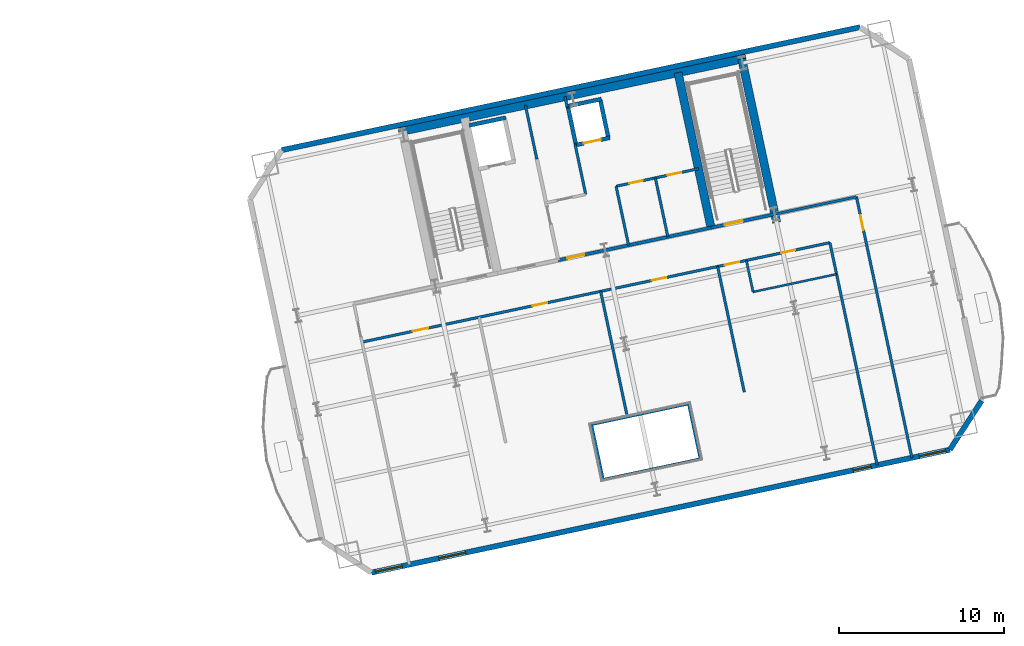
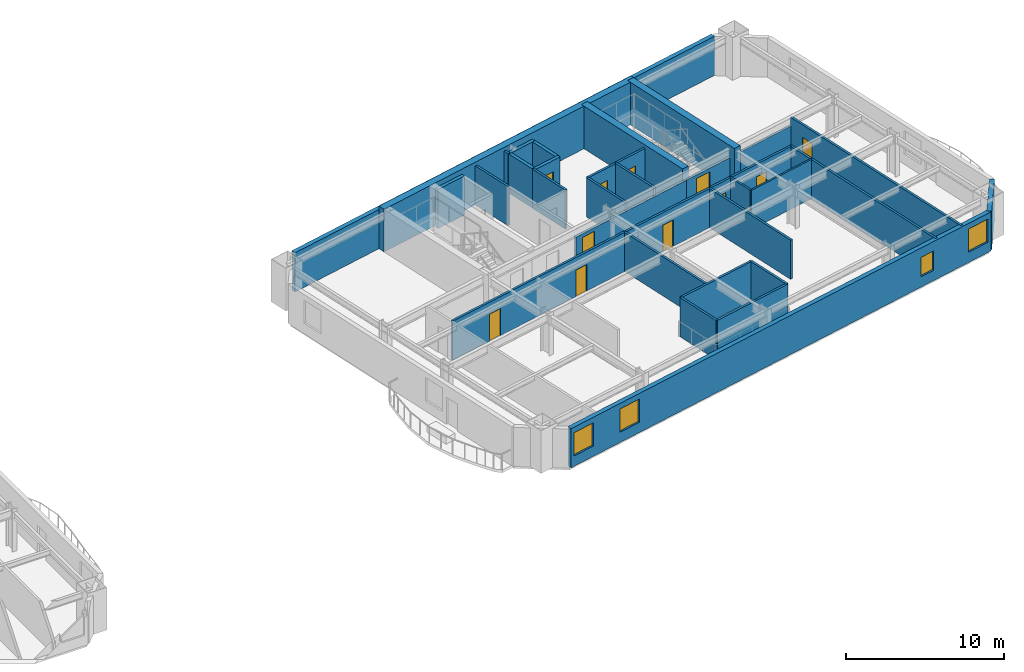
# One storey, part 8 of 14: 31 walls, 11 doors, 4 windows, 15 openings.
"""IFC4 building model written with IfcOpenShell, lengths in metres."""

from ifc_helpers import new_model, si_unit, direction, frame, frame_2d, origin, place, context, subcontext, project, spatial, rectangle, extrude, material, layer, layer_set, type_object, element, fill, save


model = new_model("IFC4")

# Units and contexts
model_context = context("Model", 3, precision=1e-05, world=origin(), true_north=direction((0.0, 1.0)))
body_context = subcontext(model_context, "Body", "Model", "MODEL_VIEW")
ifc_project = project(units=[si_unit("LENGTHUNIT", "METRE"), si_unit("AREAUNIT", "SQUARE_METRE"), si_unit("VOLUMEUNIT", "CUBIC_METRE"), si_unit("PLANEANGLEUNIT", "RADIAN"), si_unit("MASSUNIT", "GRAM", prefix="KILO")], contexts=[model_context])

# Site, building, storey
site_placement = place(None, origin())
site = spatial("IfcSite", under=ifc_project, at=site_placement, CompositionType="ELEMENT")
building_placement = place(site_placement, origin())
building = spatial("IfcBuilding", under=site, at=building_placement, Name="Haevon Station Towers", CompositionType="ELEMENT")
storey_placement = place(building_placement, frame((0.0, 0.0, 106.5)))
storey = spatial("IfcBuildingStorey", under=building, at=storey_placement, Name="L28", CompositionType="ELEMENT", Elevation=106.5)

# Wall, opening, door
ifc_material_1 = material(Name="Gypsum board on steel stud", Category="steel")
ifc_layer_1 = layer(ifc_material_1, 0.199951171875)
ifc_layer_set_1 = layer_set([ifc_layer_1], Name="Gypsum board on steel stud")
wall_type_1 = type_object("IfcWallType", Name="WL-COR200", PredefinedType="PARTITIONING", material=ifc_layer_set_1)
wall_1_placement = place(storey_placement, frame((115.4296875, 40.9873046875, 0.0), z_axis=(0.0, 0.0, 1.0), x_axis=(0.978146596989, 0.207916413008, 0.0)))
wall_1 = element("IfcWall", 1, at=wall_1_placement, inside=storey, type_object=wall_type_1, Name="WL-ST-ST4-L28", PredefinedType="PARTITIONING", context=body_context, shape_type="SweptSolid", body=[
    extrude(rectangle(XDim=3.9501953125, YDim=0.199951171875, at=frame_2d((1.97509765625, 0.0))), origin(), (0.0, 0.0, 1.0), 2.3798828125),
])
opening_1_placement = place(wall_1_placement, frame((0.85009765625, 0.0, 0.0)))
opening_1 = element("IfcOpeningElement", 2, at=opening_1_placement, cuts=wall_1, Name="Opening DR-ST-ST4-L28", PredefinedType="OPENING", context=body_context, shape_type="SweptSolid", body=[
    extrude(rectangle(XDim=1.1201171875, YDim=2.10009765625, at=frame_2d((0.56005859375, 1.050048828125))), frame((0.0, 0.10986328125, 0.0), z_axis=(0.0, -1.0, 0.0), x_axis=(1.0, 0.0, 0.0)), (0.0, 0.0, 1.0), 0.219970703125),
])
ifc_material_2 = material(Name="Engineered oak timber", Category="wood")
door_type_1 = type_object("IfcDoorType", Name="DR-ST-1120", OperationType="NOTDEFINED", PredefinedType="DOOR", material=ifc_material_2)
door_1_placement = place(opening_1_placement, origin())
door_1 = element("IfcDoor", 3, at=door_1_placement, inside=storey, type_object=door_type_1, Name="L28 Escape Stair ST4 Fire Door", OperationType="SINGLE_SWING_RIGHT", OverallHeight=2.10009765625, OverallWidth=1.1201171875, PredefinedType="DOOR", context=body_context, shape_type="SweptSolid", body=[
    extrude(rectangle(XDim=1.1201171875, YDim=2.10009765625, at=frame_2d((0.56005859375, 1.050048828125))), frame((0.0, 0.02490234375, 0.0), z_axis=(0.0, -1.0, 0.0), x_axis=(1.0, 0.0, 0.0)), (0.0, 0.0, 1.0), 0.050048828125),
])
fill(opening_1, door_1)

wall_2_placement = place(storey_placement, frame((106.186279296875, 39.0224609375, 0.0), z_axis=(0.0, 0.0, 1.0), x_axis=(0.978145519981, 0.20792147975, 0.0)))
wall_2 = element("IfcWall", 4, at=wall_2_placement, inside=storey, type_object=wall_type_1, Name="WL-T2CLB-L28", PredefinedType="PARTITIONING", context=body_context, shape_type="SweptSolid", body=[
    extrude(rectangle(XDim=9.449951171875, YDim=0.199951171875, at=frame_2d((4.72509765625, 0.0))), origin(), (0.0, 0.0, 1.0), 2.3798828125),
])
opening_2_placement = place(wall_2_placement, frame((0.550048828125, 0.0, 0.0)))
opening_2 = element("IfcOpeningElement", 5, at=opening_2_placement, cuts=wall_2, Name="Opening DR-T2CLB-L28-1", PredefinedType="OPENING", context=body_context, shape_type="SweptSolid", body=[
    extrude(rectangle(XDim=1.050048828125, YDim=2.10009765625, at=frame_2d((0.52490234375, 1.050048828125))), frame((0.0, 0.10986328125, 0.0), z_axis=(0.0, -1.0, 0.0), x_axis=(1.0, 0.0, 0.0)), (0.0, 0.0, 1.0), 0.219970703125),
])
door_type_2 = type_object("IfcDoorType", Name="DR-FD60-1050", OperationType="NOTDEFINED", PredefinedType="DOOR", material=ifc_material_2)
door_2_placement = place(opening_2_placement, origin())
door_2 = element("IfcDoor", 6, at=door_2_placement, inside=storey, type_object=door_type_2, Name="L28 Tower 2 Core Lift Lobby Door 1", OperationType="SINGLE_SWING_LEFT", OverallHeight=2.10009765625, OverallWidth=1.050048828125, PredefinedType="DOOR", context=body_context, shape_type="SweptSolid", body=[
    extrude(rectangle(XDim=1.050048828125, YDim=2.10009765625, at=frame_2d((0.52490234375, 1.050048828125))), frame((0.0, 0.02490234375, 0.0), z_axis=(0.0, -1.0, 0.0), x_axis=(1.0, 0.0, 0.0)), (0.0, 0.0, 1.0), 0.050048828125),
])
fill(opening_2, door_2)

# Walls
ifc_material_3 = material(Name="Concrete C60/75", Category="concrete")
ifc_layer_2 = layer(ifc_material_3, 0.5)
ifc_layer_set_2 = layer_set([ifc_layer_2], Name="Concrete C60/75")
wall_type_2 = type_object("IfcWallType", Name="WL-CR500", PredefinedType="SHEAR", material=ifc_layer_set_2)
wall_3_placement = place(storey_placement, frame((96.511962890625, 46.78076171875, 0.0), z_axis=(0.0, 0.0, 1.0), x_axis=(0.978148546782, 0.207907239961, 0.0)))
element("IfcWall", 7, at=wall_3_placement, inside=storey, type_object=wall_type_2, Name="WL-T2CR-L28-N", PredefinedType="SHEAR", context=body_context, shape_type="SweptSolid", body=[
    extrude(rectangle(XDim=21.499755859375, YDim=0.5, at=frame_2d((10.75, 0.0))), origin(), (0.0, 0.0, 1.0), 3.300048828125),
])
wall_4_placement = place(storey_placement, frame((119.401611328125, 41.2998046875, 0.0), z_axis=(0.0, 0.0, 1.0), x_axis=(-0.207904342798, 0.978149162575, 0.0)))
element("IfcWall", 8, at=wall_4_placement, inside=storey, type_object=wall_type_2, Name="WL-T2CR-L28-E", PredefinedType="SHEAR", context=body_context, shape_type="SweptSolid", body=[
    extrude(rectangle(XDim=10.1201171875, YDim=0.5, at=frame_2d((5.06005859375, 0.0))), origin(), (0.0, 0.0, 1.0), 3.300048828125),
])
wall_5_placement = place(storey_placement, frame((115.4296875, 40.9873046875, 0.0), z_axis=(0.0, 0.0, 1.0), x_axis=(-0.207903162969, 0.978149413345, 0.0)))
element("IfcWall", 9, at=wall_5_placement, inside=storey, type_object=wall_type_2, Name="WL-T2CR-L28-M2", PredefinedType="SHEAR", context=body_context, shape_type="SweptSolid", body=[
    extrude(rectangle(XDim=9.599853515625, YDim=0.5, at=frame_2d((4.7998046875, 0.0))), origin(), (0.0, 0.0, 1.0), 3.300048828125),
])

# Wall, openings, windows
ifc_material_4 = material(Name="Precast concrete C45/55", Category="concrete")
ifc_layer_3 = layer(ifc_material_4, 0.320068359375)
ifc_layer_set_3 = layer_set([ifc_layer_3], Name="Precast concrete C45/55")
wall_type_3 = type_object("IfcWallType", Name="WL-EXT-PIER320", PredefinedType="SOLIDWALL", material=ifc_layer_set_3)
wall_6_placement = place(storey_placement, frame((129.889404296875, 27.550048828125, 0.0), z_axis=(0.0, 0.0, 1.0), x_axis=(-0.978146786281, -0.207915522479, 0.0)))
wall_6 = element("IfcWall", 10, at=wall_6_placement, inside=storey, type_object=wall_type_3, Name="WL-T2-L28-S", PredefinedType="SOLIDWALL", context=body_context, shape_type="SweptSolid", body=[
    extrude(rectangle(XDim=35.7998046875, YDim=0.320068359375, at=frame_2d((17.89990234375, 0.0))), origin(), (0.0, 0.0, 1.0), 3.030029296875),
])
opening_3_placement = place(wall_6_placement, frame((33.89990234375, 0.0, 0.800048828125)))
opening_3 = element("IfcOpeningElement", 11, at=opening_3_placement, cuts=wall_6, Name="Opening WN-P165", PredefinedType="OPENING", context=body_context, shape_type="SweptSolid", body=[
    extrude(rectangle(XDim=1.64990234375, YDim=1.800048828125, at=frame_2d((0.824951171875, 0.89990234375))), frame((0.0, 0.169921875, 0.0), z_axis=(0.0, -1.0, 0.0), x_axis=(1.0, 0.0, 0.0)), (0.0, 0.0, 1.0), 0.340087890625),
])
opening_4_placement = place(wall_6_placement, frame((0.25, 0.0, 0.800048828125)))
opening_4 = element("IfcOpeningElement", 12, at=opening_4_placement, cuts=wall_6, Name="Opening WN-P165", PredefinedType="OPENING", context=body_context, shape_type="SweptSolid", body=[
    extrude(rectangle(XDim=1.64990234375, YDim=1.800048828125, at=frame_2d((0.824951171875, 0.89990234375))), frame((0.0, 0.169921875, 0.0), z_axis=(0.0, -1.0, 0.0), x_axis=(1.0, 0.0, 0.0)), (0.0, 0.0, 1.0), 0.340087890625),
])
opening_5_placement = place(wall_6_placement, frame((29.9716796875, 0.0, 0.800048828125)))
opening_5 = element("IfcOpeningElement", 13, at=opening_5_placement, cuts=wall_6, Name="Opening WN-P165", PredefinedType="OPENING", context=body_context, shape_type="SweptSolid", body=[
    extrude(rectangle(XDim=1.64990234375, YDim=1.800048828125, at=frame_2d((0.824951171875, 0.89990234375))), frame((0.0, 0.169921875, 0.0), z_axis=(0.0, -1.0, 0.0), x_axis=(1.0, 0.0, 0.0)), (0.0, 0.0, 1.0), 0.340087890625),
])
opening_6_placement = place(wall_6_placement, frame((4.8798828125, 0.0, 0.800048828125)))
opening_6 = element("IfcOpeningElement", 14, at=opening_6_placement, cuts=wall_6, Name="Opening WN-COR110", PredefinedType="OPENING", context=body_context, shape_type="SweptSolid", body=[
    extrude(rectangle(XDim=1.10009765625, YDim=1.5, at=frame_2d((0.550048828125, 0.75))), frame((0.0, 0.169921875, 0.0), z_axis=(0.0, -1.0, 0.0), x_axis=(1.0, 0.0, 0.0)), (0.0, 0.0, 1.0), 0.340087890625),
])
ifc_material_5 = material(Name="Low-E triple glazing in thermally broken aluminium", Category="aluminium")
window_type_1 = type_object("IfcWindowType", Name="WN-COR110", PartitioningType="SINGLE_PANEL", PredefinedType="WINDOW", material=ifc_material_5)
window_1_placement = place(opening_6_placement, origin())
window_1 = element("IfcWindow", 15, at=window_1_placement, inside=storey, type_object=window_type_1, Name="WN-T2-L28-S04", OverallHeight=1.5, OverallWidth=1.10009765625, PartitioningType="SINGLE_PANEL", PredefinedType="WINDOW", context=body_context, shape_type="SweptSolid", body=[
    extrude(rectangle(XDim=1.10009765625, YDim=1.5, at=frame_2d((0.550048828125, 0.75))), frame((0.0, 0.030029296875, 0.0), z_axis=(0.0, -1.0, 0.0), x_axis=(1.0, 0.0, 0.0)), (0.0, 0.0, 1.0), 0.06005859375),
])
fill(opening_6, window_1)
window_type_2 = type_object("IfcWindowType", Name="WN-P165", PartitioningType="SINGLE_PANEL", PredefinedType="WINDOW", material=ifc_material_5)
window_2_placement = place(opening_3_placement, origin())
window_2 = element("IfcWindow", 16, at=window_2_placement, inside=storey, type_object=window_type_2, Name="WN-T2-L28-S01", OverallHeight=1.800048828125, OverallWidth=1.64990234375, PartitioningType="SINGLE_PANEL", PredefinedType="WINDOW", context=body_context, shape_type="SweptSolid", body=[
    extrude(rectangle(XDim=1.64990234375, YDim=1.800048828125, at=frame_2d((0.824951171875, 0.89990234375))), frame((0.0, 0.030029296875, 0.0), z_axis=(0.0, -1.0, 0.0), x_axis=(1.0, 0.0, 0.0)), (0.0, 0.0, 1.0), 0.06005859375),
])
fill(opening_3, window_2)
window_3_placement = place(opening_4_placement, origin())
window_3 = element("IfcWindow", 17, at=window_3_placement, inside=storey, type_object=window_type_2, Name="WN-T2-L28-S02", OverallHeight=1.800048828125, OverallWidth=1.64990234375, PartitioningType="SINGLE_PANEL", PredefinedType="WINDOW", context=body_context, shape_type="SweptSolid", body=[
    extrude(rectangle(XDim=1.64990234375, YDim=1.800048828125, at=frame_2d((0.824951171875, 0.89990234375))), frame((0.0, 0.030029296875, 0.0), z_axis=(0.0, -1.0, 0.0), x_axis=(1.0, 0.0, 0.0)), (0.0, 0.0, 1.0), 0.06005859375),
])
fill(opening_4, window_3)
window_4_placement = place(opening_5_placement, origin())
window_4 = element("IfcWindow", 18, at=window_4_placement, inside=storey, type_object=window_type_2, Name="WN-T2-L28-S03", OverallHeight=1.800048828125, OverallWidth=1.64990234375, PartitioningType="SINGLE_PANEL", PredefinedType="WINDOW", context=body_context, shape_type="SweptSolid", body=[
    extrude(rectangle(XDim=1.64990234375, YDim=1.800048828125, at=frame_2d((0.824951171875, 0.89990234375))), frame((0.0, 0.030029296875, 0.0), z_axis=(0.0, -1.0, 0.0), x_axis=(1.0, 0.0, 0.0)), (0.0, 0.0, 1.0), 0.06005859375),
])
fill(opening_5, window_4)

# Walls
wall_7_placement = place(storey_placement, frame((89.43505859375, 45.685302734375, 0.0), z_axis=(0.0, 0.0, 1.0), x_axis=(0.978146786281, 0.207915522479, 0.0)))
element("IfcWall", 19, at=wall_7_placement, inside=storey, type_object=wall_type_3, Name="WL-T2-L28-N", PredefinedType="SOLIDWALL", context=body_context, shape_type="SweptSolid", body=[
    extrude(rectangle(XDim=35.7998046875, YDim=0.320068359375, at=frame_2d((17.89990234375, 0.0))), origin(), (0.0, 0.0, 1.0), 3.030029296875),
])
wall_8_placement = place(storey_placement, frame((131.815185546875, 30.51513671875, 0.0), z_axis=(0.0, 0.0, 1.0), x_axis=(-0.544684921471, -0.838640767148, 0.0)))
element("IfcWall", 20, at=wall_8_placement, inside=storey, type_object=wall_type_3, Name="WL-T2-L28-SEC", PredefinedType="SOLIDWALL", context=body_context, shape_type="SweptSolid", body=[
    extrude(rectangle(XDim=3.53564453125, YDim=0.320068359375, at=frame_2d((1.767822265625, 0.0))), origin(), (0.0, 0.0, 1.0), 3.030029296875),
])
ifc_layer_4 = layer(ifc_material_1, 0.125)
ifc_layer_set_4 = layer_set([ifc_layer_4], Name="Gypsum board on steel stud")
wall_type_4 = type_object("IfcWallType", Name="WL-PRT125", PredefinedType="PARTITIONING", material=ifc_layer_set_4)
wall_9_placement = place(storey_placement, frame((117.975341796875, 37.1015625, 0.0), z_axis=(0.0, 0.0, 1.0), x_axis=(0.97814744326, 0.207912431673, 0.0)))
element("IfcWall", 21, at=wall_9_placement, inside=storey, type_object=wall_type_4, Name="WL-T2PT-L28-15", PredefinedType="PARTITIONING", context=body_context, shape_type="SweptSolid", body=[
    extrude(rectangle(XDim=5.16796875, YDim=0.125, at=frame_2d((2.583984375, 0.0))), origin(), (0.0, 0.0, 1.0), 3.030029296875),
])
ifc_layer_5 = layer(ifc_material_1, 0.139892578125)
ifc_layer_set_5 = layer_set([ifc_layer_5], Name="Gypsum board on steel stud")
wall_type_5 = type_object("IfcWallType", Name="WL-PRT140", PredefinedType="PARTITIONING", material=ifc_layer_set_5)
wall_10_placement = place(storey_placement, frame((117.975341796875, 37.1015625, 0.0), z_axis=(0.0, 0.0, 1.0), x_axis=(-0.207947096322, 0.978140074392, 0.0)))
element("IfcWall", 22, at=wall_10_placement, inside=storey, type_object=wall_type_5, Name="WL-T2PT-L28-16", PredefinedType="PARTITIONING", context=body_context, shape_type="SweptSolid", body=[
    extrude(rectangle(XDim=1.9501953125, YDim=0.139892578125, at=frame_2d((0.97509765625, 0.0))), origin(), (0.0, 0.0, 1.0), 3.030029296875),
])
ifc_layer_6 = layer(ifc_material_1, 0.159912109375)
ifc_layer_set_6 = layer_set([ifc_layer_6], Name="Gypsum board on steel stud")
wall_type_6 = type_object("IfcWallType", Name="WL-PRT160", PredefinedType="PARTITIONING", material=ifc_layer_set_6)
wall_11_placement = place(storey_placement, frame((104.88671875, 45.135986328125, 0.0), z_axis=(0.0, 0.0, 1.0), x_axis=(-0.207846553267, 0.978161443881, 0.0)))
element("IfcWall", 23, at=wall_11_placement, inside=storey, type_object=wall_type_6, Name="WL-T2CW-L28-01", PredefinedType="PARTITIONING", context=body_context, shape_type="SweptSolid", body=[
    extrude(rectangle(XDim=3.35009765625, YDim=0.159912109375, at=frame_2d((1.675048828125, 0.0))), origin(), (0.0, 0.0, 1.0), 3.030029296875),
])
wall_12_placement = place(storey_placement, frame((107.8447265625, 43.00439453125, 0.0), z_axis=(0.0, 0.0, 1.0), x_axis=(-0.207915270313, 0.978146839882, 0.0)))
element("IfcWall", 24, at=wall_12_placement, inside=storey, type_object=wall_type_6, Name="WL-T2CW-L28-03", PredefinedType="PARTITIONING", context=body_context, shape_type="SweptSolid", body=[
    extrude(rectangle(XDim=3.099853515625, YDim=0.159912109375, at=frame_2d((1.5498046875, 0.0))), origin(), (0.0, 0.0, 1.0), 3.030029296875),
])
wall_13_placement = place(storey_placement, frame((106.721923828125, 48.286376953125, 0.0), z_axis=(0.0, 0.0, 1.0), x_axis=(-0.208092352933, 0.978109182377, 0.0)))
element("IfcWall", 25, at=wall_13_placement, inside=storey, type_object=wall_type_6, Name="WL-T2CW-L28-04", PredefinedType="PARTITIONING", context=body_context, shape_type="SweptSolid", body=[
    extrude(rectangle(XDim=0.64990234375, YDim=0.159912109375, at=frame_2d((0.324951171875, 0.0))), origin(), (0.0, 0.0, 1.0), 3.030029296875),
])
for number, where, z_axis, x_axis, name in (
    (26, (110.441162109375, 39.927001953125, 0.0), (0.0, 0.0, 1.0), (-0.207884354546, 0.978153410838, 0.0), "WL-T2CW-L28-05"),
    (27, (112.818115234375, 40.43212890625, 0.0), (0.0, 0.0, 1.0), (-0.207884354546, 0.978153410838, 0.0), "WL-T2CW-L28-06"),
):
    element("IfcWall", number, at=place(storey_placement, frame(where, z_axis=z_axis, x_axis=x_axis)), inside=storey, type_object=wall_type_6, Name=name, PredefinedType="PARTITIONING", context=body_context, shape_type="SweptSolid", body=[
        extrude(rectangle(XDim=3.650146484375, YDim=0.159912109375, at=frame_2d((1.8251953125, 0.0))), origin(), (0.0, 0.0, 1.0), 3.030029296875),
    ])

# Wall, openings, doors
wall_14_placement = place(storey_placement, frame((109.682373046875, 43.497314453125, 0.0), z_axis=(0.0, 0.0, 1.0), x_axis=(0.978149238447, 0.207903985835, 0.0)))
wall_14 = element("IfcWall", 28, at=wall_14_placement, inside=storey, type_object=wall_type_6, Name="WL-T2CW-L28-07", PredefinedType="PARTITIONING", context=body_context, shape_type="SweptSolid", body=[
    extrude(rectangle(XDim=5.099853515625, YDim=0.159912109375, at=frame_2d((2.5498046875, 0.0))), origin(), (0.0, 0.0, 1.0), 3.030029296875),
])
opening_7_placement = place(wall_14_placement, frame((0.81005859375, 0.0, 0.0)))
opening_7 = element("IfcOpeningElement", 29, at=opening_7_placement, cuts=wall_14, Name="Opening DR-WL-T2CW-L28-07-1", PredefinedType="OPENING", context=body_context, shape_type="SweptSolid", body=[
    extrude(rectangle(XDim=0.85009765625, YDim=2.050048828125, at=frame_2d((0.425048828125, 1.02490234375))), frame((0.0, 0.08984375, 0.0), z_axis=(0.0, -1.0, 0.0), x_axis=(1.0, 0.0, 0.0)), (0.0, 0.0, 1.0), 0.179931640625),
])
opening_8_placement = place(wall_14_placement, frame((3.179931640625, 0.0, 0.0)))
opening_8 = element("IfcOpeningElement", 30, at=opening_8_placement, cuts=wall_14, Name="Opening DR-WL-T2CW-L28-07-2", PredefinedType="OPENING", context=body_context, shape_type="SweptSolid", body=[
    extrude(rectangle(XDim=0.85009765625, YDim=2.050048828125, at=frame_2d((0.425048828125, 1.02490234375))), frame((0.0, 0.08984375, 0.0), z_axis=(0.0, -1.0, 0.0), x_axis=(1.0, 0.0, 0.0)), (0.0, 0.0, 1.0), 0.179931640625),
])
door_type_3 = type_object("IfcDoorType", Name="DR-FD30-850", OperationType="NOTDEFINED", PredefinedType="DOOR", material=ifc_material_2)
door_3_placement = place(opening_7_placement, origin())
door_3 = element("IfcDoor", 31, at=door_3_placement, inside=storey, type_object=door_type_3, Name="L28 Tower 2 Core Room Door 7-1", OperationType="SINGLE_SWING_RIGHT", OverallHeight=2.050048828125, OverallWidth=0.85009765625, PredefinedType="DOOR", context=body_context, shape_type="SweptSolid", body=[
    extrude(rectangle(XDim=0.85009765625, YDim=2.050048828125, at=frame_2d((0.425048828125, 1.02490234375))), frame((0.0, 0.02490234375, 0.0), z_axis=(0.0, -1.0, 0.0), x_axis=(1.0, 0.0, 0.0)), (0.0, 0.0, 1.0), 0.050048828125),
])
fill(opening_7, door_3)
door_4_placement = place(opening_8_placement, origin())
door_4 = element("IfcDoor", 32, at=door_4_placement, inside=storey, type_object=door_type_3, Name="L28 Tower 2 Core Room Door 7-2", OperationType="SINGLE_SWING_LEFT", OverallHeight=2.050048828125, OverallWidth=0.85009765625, PredefinedType="DOOR", context=body_context, shape_type="SweptSolid", body=[
    extrude(rectangle(XDim=0.85009765625, YDim=2.050048828125, at=frame_2d((0.425048828125, 1.02490234375))), frame((0.0, 0.02490234375, 0.0), z_axis=(0.0, -1.0, 0.0), x_axis=(1.0, 0.0, 0.0)), (0.0, 0.0, 1.0), 0.050048828125),
])
fill(opening_8, door_4)

# Walls
wall_15_placement = place(storey_placement, frame((125.48779296875, 26.614501953125, 0.0), z_axis=(0.0, 0.0, 1.0), x_axis=(-0.207902650026, 0.97814952237, 0.0)))
element("IfcWall", 33, at=wall_15_placement, inside=storey, type_object=wall_type_6, Name="WL-T2PT-L28-01", PredefinedType="PARTITIONING", context=body_context, shape_type="SweptSolid", body=[
    extrude(rectangle(XDim=13.769775390625, YDim=0.159912109375, at=frame_2d((6.884765625, 0.0))), origin(), (0.0, 0.0, 1.0), 3.030029296875),
])
wall_16_placement = place(storey_placement, frame((119.29345703125, 41.80859375, 0.0), z_axis=(0.0, 0.0, 1.0), x_axis=(0.978154058851, 0.207881305445, 0.0)))
element("IfcWall", 34, at=wall_16_placement, inside=storey, type_object=wall_type_6, Name="WL-T2PT-L28-03", PredefinedType="PARTITIONING", context=body_context, shape_type="SweptSolid", body=[
    extrude(rectangle(XDim=5.050048828125, YDim=0.159912109375, at=frame_2d((2.52490234375, 0.0))), origin(), (0.0, 0.0, 1.0), 2.3798828125),
])

# Wall, opening, door
wall_17_placement = place(storey_placement, frame((127.5908203125, 27.0615234375, 0.0), z_axis=(0.0, 0.0, 1.0), x_axis=(-0.207907933608, 0.978148399346, 0.0)))
wall_17 = element("IfcWall", 35, at=wall_17_placement, inside=storey, type_object=wall_type_6, Name="WL-T2PT-L28-05", PredefinedType="PARTITIONING", context=body_context, shape_type="SweptSolid", body=[
    extrude(rectangle(XDim=16.149658203125, YDim=0.159912109375, at=frame_2d((8.07470703125, 0.0))), origin(), (0.0, 0.0, 1.0), 3.030029296875),
])
opening_9_placement = place(wall_17_placement, frame((14.090087890625, 0.0, 0.0)))
opening_9 = element("IfcOpeningElement", 36, at=opening_9_placement, cuts=wall_17, Name="Opening DR-WL-T2PT-L28-05-01", PredefinedType="OPENING", context=body_context, shape_type="SweptSolid", body=[
    extrude(rectangle(XDim=0.89990234375, YDim=2.050048828125, at=frame_2d((0.449951171875, 1.02490234375))), frame((0.0, 0.08984375, 0.0), z_axis=(0.0, -1.0, 0.0), x_axis=(1.0, 0.0, 0.0)), (0.0, 0.0, 1.0), 0.179931640625),
])
door_type_4 = type_object("IfcDoorType", Name="DR-INT-900", OperationType="NOTDEFINED", PredefinedType="DOOR", material=ifc_material_2)
door_5_placement = place(opening_9_placement, origin())
door_5 = element("IfcDoor", 37, at=door_5_placement, inside=storey, type_object=door_type_4, Name="L28 Tower 2 Room Door 5-1", OperationType="SINGLE_SWING_LEFT", OverallHeight=2.050048828125, OverallWidth=0.89990234375, PredefinedType="DOOR", context=body_context, shape_type="SweptSolid", body=[
    extrude(rectangle(XDim=0.89990234375, YDim=2.050048828125, at=frame_2d((0.449951171875, 1.02490234375))), frame((0.0, 0.02490234375, 0.0), z_axis=(0.0, -1.0, 0.0), x_axis=(1.0, 0.0, 0.0)), (0.0, 0.0, 1.0), 0.050048828125),
])
fill(opening_9, door_5)

# Walls
for number, where, z_axis, x_axis, name in (
    (38, (108.90576171875, 25.747802734375, 0.0), (0.0, 0.0, 1.0), (0.978144681088, 0.207925426197, 0.0), "WL-T2PT-L28-06"),
    (39, (108.19873046875, 29.073486328125, 0.0), (0.0, 0.0, 1.0), (0.978144681088, 0.207925426197, 0.0), "WL-T2PT-L28-07"),
):
    element("IfcWall", number, at=place(storey_placement, frame(where, z_axis=z_axis, x_axis=x_axis)), inside=storey, type_object=wall_type_6, Name=name, PredefinedType="PARTITIONING", context=body_context, shape_type="SweptSolid", body=[
        extrude(rectangle(XDim=6.0, YDim=0.159912109375, at=frame_2d((3.0, 0.0))), origin(), (0.0, 0.0, 1.0), 3.030029296875),
    ])
for number, where, z_axis, x_axis, name in (
    (40, (108.90576171875, 25.747802734375, 0.0), (0.0, 0.0, 1.0), (-0.207949787024, 0.97813950236, 0.0), "WL-T2PT-L28-08"),
    (41, (114.774658203125, 26.995361328125, 0.0), (0.0, 0.0, 1.0), (-0.207949787024, 0.97813950236, 0.0), "WL-T2PT-L28-09"),
):
    element("IfcWall", number, at=place(storey_placement, frame(where, z_axis=z_axis, x_axis=x_axis)), inside=storey, type_object=wall_type_6, Name=name, PredefinedType="PARTITIONING", context=body_context, shape_type="SweptSolid", body=[
        extrude(rectangle(XDim=3.39990234375, YDim=0.159912109375, at=frame_2d((1.699951171875, 0.0))), origin(), (0.0, 0.0, 1.0), 3.030029296875),
    ])
wall_18_placement = place(storey_placement, frame((110.364990234375, 29.533935546875, 0.0), z_axis=(0.0, 0.0, 1.0), x_axis=(-0.207908735063, 0.978148228994, 0.0)))
element("IfcWall", 42, at=wall_18_placement, inside=storey, type_object=wall_type_6, Name="WL-T2PT-L28-11", PredefinedType="PARTITIONING", context=body_context, shape_type="SweptSolid", body=[
    extrude(rectangle(XDim=7.77001953125, YDim=0.159912109375, at=frame_2d((3.885009765625, 0.0))), origin(), (0.0, 0.0, 1.0), 3.030029296875),
])
wall_19_placement = place(storey_placement, frame((117.444091796875, 31.038818359375, 0.0), z_axis=(0.0, 0.0, 1.0), x_axis=(-0.207885061733, 0.978153260542, 0.0)))
element("IfcWall", 43, at=wall_19_placement, inside=storey, type_object=wall_type_6, Name="WL-T2PT-L28-13", PredefinedType="PARTITIONING", context=body_context, shape_type="SweptSolid", body=[
    extrude(rectangle(XDim=7.769775390625, YDim=0.159912109375, at=frame_2d((3.884765625, 0.0))), origin(), (0.0, 0.0, 1.0), 3.030029296875),
])

# Wall, openings, doors
wall_20_placement = place(storey_placement, frame((94.3076171875, 34.064453125, 0.0), z_axis=(0.0, 0.0, 1.0), x_axis=(0.978147618699, 0.207911606299, 0.0)))
wall_20 = element("IfcWall", 44, at=wall_20_placement, inside=storey, type_object=wall_type_6, Name="WL-T2PT-L28-17", PredefinedType="PARTITIONING", context=body_context, shape_type="SweptSolid", body=[
    extrude(rectangle(XDim=28.949951171875, YDim=0.159912109375, at=frame_2d((14.47509765625, 0.0))), origin(), (0.0, 0.0, 1.0), 3.030029296875),
])
opening_10_placement = place(wall_20_placement, frame((3.14404296875, 0.0, 0.0)))
opening_10 = element("IfcOpeningElement", 45, at=opening_10_placement, cuts=wall_20, Name="Opening DR-WL-T2PT-L28-17-01", PredefinedType="OPENING", context=body_context, shape_type="SweptSolid", body=[
    extrude(rectangle(XDim=0.949951171875, YDim=2.10009765625, at=frame_2d((0.47509765625, 1.050048828125))), frame((0.0, 0.08984375, 0.0), z_axis=(0.0, -1.0, 0.0), x_axis=(1.0, 0.0, 0.0)), (0.0, 0.0, 1.0), 0.179931640625),
])
opening_11_placement = place(wall_20_placement, frame((10.551025390625, 0.0, 0.0)))
opening_11 = element("IfcOpeningElement", 46, at=opening_11_placement, cuts=wall_20, Name="Opening DR-WL-T2PT-L28-17-02", PredefinedType="OPENING", context=body_context, shape_type="SweptSolid", body=[
    extrude(rectangle(XDim=0.89990234375, YDim=2.050048828125, at=frame_2d((0.449951171875, 1.02490234375))), frame((0.0, 0.08984375, 0.0), z_axis=(0.0, -1.0, 0.0), x_axis=(1.0, 0.0, 0.0)), (0.0, 0.0, 1.0), 0.179931640625),
])
opening_12_placement = place(wall_20_placement, frame((17.93310546875, 0.0, 0.0)))
opening_12 = element("IfcOpeningElement", 47, at=opening_12_placement, cuts=wall_20, Name="Opening DR-WL-T2PT-L28-17-03", PredefinedType="OPENING", context=body_context, shape_type="SweptSolid", body=[
    extrude(rectangle(XDim=0.89990234375, YDim=2.050048828125, at=frame_2d((0.449951171875, 1.02490234375))), frame((0.0, 0.08984375, 0.0), z_axis=(0.0, -1.0, 0.0), x_axis=(1.0, 0.0, 0.0)), (0.0, 0.0, 1.0), 0.179931640625),
])
opening_13_placement = place(wall_20_placement, frame((25.94091796875, 0.0, 0.0)))
opening_13 = element("IfcOpeningElement", 48, at=opening_13_placement, cuts=wall_20, Name="Opening DR-WL-T2PT-L28-17-04", PredefinedType="OPENING", context=body_context, shape_type="SweptSolid", body=[
    extrude(rectangle(XDim=0.85009765625, YDim=2.050048828125, at=frame_2d((0.425048828125, 1.02490234375))), frame((0.0, 0.08984375, 0.0), z_axis=(0.0, -1.0, 0.0), x_axis=(1.0, 0.0, 0.0)), (0.0, 0.0, 1.0), 0.179931640625),
])
opening_14_placement = place(wall_20_placement, frame((22.44189453125, 0.0, 0.0)))
opening_14 = element("IfcOpeningElement", 49, at=opening_14_placement, cuts=wall_20, Name="Opening DR-WL-T2PT-L28-17-05", PredefinedType="OPENING", context=body_context, shape_type="SweptSolid", body=[
    extrude(rectangle(XDim=0.89990234375, YDim=2.050048828125, at=frame_2d((0.449951171875, 1.02490234375))), frame((0.0, 0.08984375, 0.0), z_axis=(0.0, -1.0, 0.0), x_axis=(1.0, 0.0, 0.0)), (0.0, 0.0, 1.0), 0.179931640625),
])
door_6_placement = place(opening_13_placement, origin())
door_6 = element("IfcDoor", 50, at=door_6_placement, inside=storey, type_object=door_type_3, Name="L28 Tower 2 Room Door 17-4", OperationType="SINGLE_SWING_LEFT", OverallHeight=2.050048828125, OverallWidth=0.85009765625, PredefinedType="DOOR", context=body_context, shape_type="SweptSolid", body=[
    extrude(rectangle(XDim=0.85009765625, YDim=2.050048828125, at=frame_2d((0.425048828125, 1.02490234375))), frame((0.0, 0.02490234375, 0.0), z_axis=(0.0, -1.0, 0.0), x_axis=(1.0, 0.0, 0.0)), (0.0, 0.0, 1.0), 0.050048828125),
])
fill(opening_13, door_6)
door_type_5 = type_object("IfcDoorType", Name="DR-FD30-950", OperationType="NOTDEFINED", PredefinedType="DOOR", material=ifc_material_2)
door_7_placement = place(opening_10_placement, origin())
door_7 = element("IfcDoor", 51, at=door_7_placement, inside=storey, type_object=door_type_5, Name="L28 Tower 2 Room Door 17-1", OperationType="SINGLE_SWING_RIGHT", OverallHeight=2.10009765625, OverallWidth=0.949951171875, PredefinedType="DOOR", context=body_context, shape_type="SweptSolid", body=[
    extrude(rectangle(XDim=0.949951171875, YDim=2.10009765625, at=frame_2d((0.47509765625, 1.050048828125))), frame((0.0, 0.02490234375, 0.0), z_axis=(0.0, -1.0, 0.0), x_axis=(1.0, 0.0, 0.0)), (0.0, 0.0, 1.0), 0.050048828125),
])
fill(opening_10, door_7)
door_8_placement = place(opening_11_placement, origin())
door_8 = element("IfcDoor", 52, at=door_8_placement, inside=storey, type_object=door_type_4, Name="L28 Tower 2 Room Door 17-2", OperationType="SINGLE_SWING_LEFT", OverallHeight=2.050048828125, OverallWidth=0.89990234375, PredefinedType="DOOR", context=body_context, shape_type="SweptSolid", body=[
    extrude(rectangle(XDim=0.89990234375, YDim=2.050048828125, at=frame_2d((0.449951171875, 1.02490234375))), frame((0.0, 0.02490234375, 0.0), z_axis=(0.0, -1.0, 0.0), x_axis=(1.0, 0.0, 0.0)), (0.0, 0.0, 1.0), 0.050048828125),
])
fill(opening_11, door_8)
door_9_placement = place(opening_12_placement, origin())
door_9 = element("IfcDoor", 53, at=door_9_placement, inside=storey, type_object=door_type_4, Name="L28 Tower 2 Room Door 17-3", OperationType="SINGLE_SWING_RIGHT", OverallHeight=2.050048828125, OverallWidth=0.89990234375, PredefinedType="DOOR", context=body_context, shape_type="SweptSolid", body=[
    extrude(rectangle(XDim=0.89990234375, YDim=2.050048828125, at=frame_2d((0.449951171875, 1.02490234375))), frame((0.0, 0.02490234375, 0.0), z_axis=(0.0, -1.0, 0.0), x_axis=(1.0, 0.0, 0.0)), (0.0, 0.0, 1.0), 0.050048828125),
])
fill(opening_12, door_9)
door_10_placement = place(opening_14_placement, origin())
door_10 = element("IfcDoor", 54, at=door_10_placement, inside=storey, type_object=door_type_4, Name="L28 Tower 2 Room Door 17-5", OperationType="SINGLE_SWING_RIGHT", OverallHeight=2.050048828125, OverallWidth=0.89990234375, PredefinedType="DOOR", context=body_context, shape_type="SweptSolid", body=[
    extrude(rectangle(XDim=0.89990234375, YDim=2.050048828125, at=frame_2d((0.449951171875, 1.02490234375))), frame((0.0, 0.02490234375, 0.0), z_axis=(0.0, -1.0, 0.0), x_axis=(1.0, 0.0, 0.0)), (0.0, 0.0, 1.0), 0.050048828125),
])
fill(opening_14, door_10)

# Wall
ifc_material_6 = material(Name="Concrete C40/50", Category="concrete")
ifc_layer_7 = layer(ifc_material_6, 0.239990234375)
ifc_layer_set_7 = layer_set([ifc_layer_7], Name="Concrete C40/50")
wall_type_7 = type_object("IfcWallType", Name="WL-SHF240", PredefinedType="PARTITIONING", material=ifc_layer_set_7)
wall_21_placement = place(storey_placement, frame((100.79248046875, 47.179443359375, 0.0), z_axis=(0.0, 0.0, 1.0), x_axis=(0.978162968872, 0.207839376268, 0.0)))
element("IfcWall", 55, at=wall_21_placement, inside=storey, type_object=wall_type_7, Name="WL-SHF-FL2-L28-N", PredefinedType="PARTITIONING", context=body_context, shape_type="SweptSolid", body=[
    extrude(rectangle(XDim=2.260009765625, YDim=0.239990234375, at=frame_2d((1.1298828125, 0.0))), origin(), (0.0, 0.0, 1.0), 3.030029296875),
])

# Wall, opening, door
wall_22_placement = place(storey_placement, frame((107.18115234375, 45.9814453125, 0.0), z_axis=(0.0, 0.0, 1.0), x_axis=(0.97813528961, 0.207969601673, 0.0)))
wall_22 = element("IfcWall", 56, at=wall_22_placement, inside=storey, type_object=wall_type_7, Name="WL-SHF-PL8-L28", PredefinedType="PARTITIONING", context=body_context, shape_type="SweptSolid", body=[
    extrude(rectangle(XDim=2.159912109375, YDim=0.239990234375, at=frame_2d((1.080078125, 0.0))), origin(), (0.0, 0.0, 1.0), 3.030029296875),
])
opening_15_placement = place(wall_22_placement, frame((0.554931640625, 0.0, 0.0)))
opening_15 = element("IfcOpeningElement", 57, at=opening_15_placement, cuts=wall_22, Name="Opening LD-PL8-L28", PredefinedType="OPENING", context=body_context, shape_type="SweptSolid", body=[
    extrude(rectangle(XDim=1.050048828125, YDim=2.14990234375, at=frame_2d((0.52490234375, 1.074951171875))), frame((0.0, 0.1298828125, 0.0), z_axis=(0.0, -1.0, 0.0), x_axis=(1.0, 0.0, 0.0)), (0.0, 0.0, 1.0), 0.260009765625),
])
ifc_material_7 = material(Name="Stainless steel and rated core", Category="steel")
door_type_6 = type_object("IfcDoorType", Name="LD-PL1050", OperationType="SLIDING_TO_LEFT", PredefinedType="DOOR", material=ifc_material_7)
door_11_placement = place(opening_15_placement, origin())
door_11 = element("IfcDoor", 58, at=door_11_placement, inside=storey, type_object=door_type_6, Name="L28 Lift PL8 Sliding Landing Door", OperationType="SLIDING_TO_LEFT", OverallHeight=2.14990234375, OverallWidth=1.050048828125, PredefinedType="DOOR", context=body_context, shape_type="SweptSolid", body=[
    extrude(rectangle(XDim=1.050048828125, YDim=2.14990234375, at=frame_2d((0.52490234375, 1.074951171875))), frame((0.0, 0.02490234375, 0.0), z_axis=(0.0, -1.0, 0.0), x_axis=(1.0, 0.0, 0.0)), (0.0, 0.0, 1.0), 0.050048828125),
])
fill(opening_15, door_11)

# Walls
wall_23_placement = place(storey_placement, frame((106.68212890625, 48.3291015625, 0.0), z_axis=(0.0, 0.0, 1.0), x_axis=(0.978158276388, 0.207861459473, 0.0)))
element("IfcWall", 59, at=wall_23_placement, inside=storey, type_object=wall_type_7, Name="WL-SHF-PL8-L28-N", PredefinedType="PARTITIONING", context=body_context, shape_type="SweptSolid", body=[
    extrude(rectangle(XDim=2.159912109375, YDim=0.239990234375, at=frame_2d((1.080078125, 0.0))), origin(), (0.0, 0.0, 1.0), 3.030029296875),
])
for number, where, z_axis, x_axis, name in (
    (60, (107.259521484375, 45.998046875, 0.0), (0.0, 0.0, 1.0), (-0.207917150959, 0.978146440129, 0.0), "WL-SHF-PL8-L28-W"),
    (61, (109.2158203125, 46.413818359375, 0.0), (0.0, 0.0, 1.0), (-0.207917150959, 0.978146440129, 0.0), "WL-SHF-PL8-L28-E"),
):
    element("IfcWall", number, at=place(storey_placement, frame(where, z_axis=z_axis, x_axis=x_axis)), inside=storey, type_object=wall_type_7, Name=name, PredefinedType="PARTITIONING", context=body_context, shape_type="SweptSolid", body=[
        extrude(rectangle(XDim=2.400146484375, YDim=0.239990234375, at=frame_2d((1.2001953125, 0.0))), origin(), (0.0, 0.0, 1.0), 3.030029296875),
    ])

save(model, "model.ifc")
